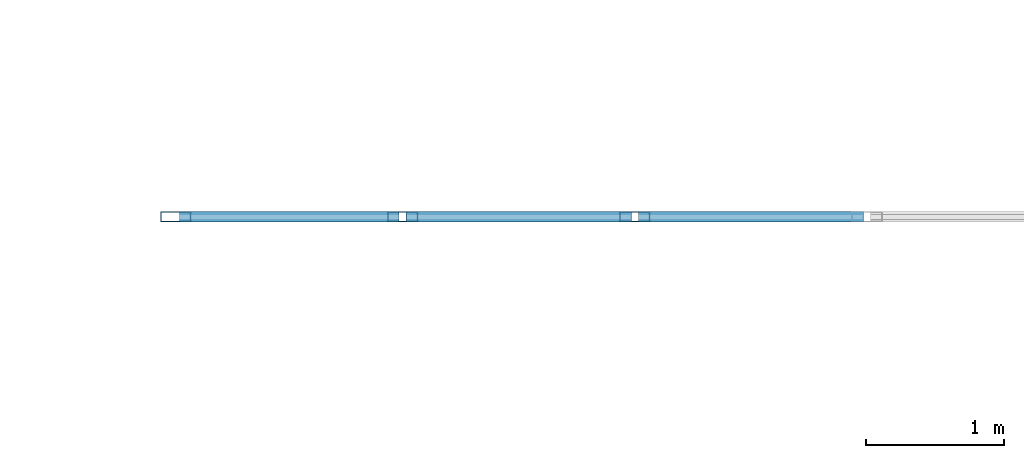
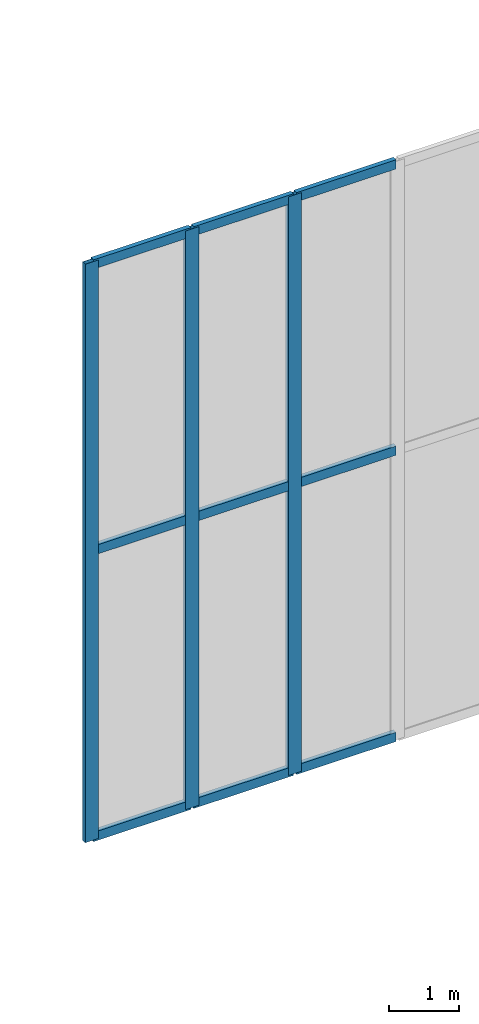
# One storey, part 33 of 153: 12 members, 1 element without a shape of its own.
"""IFC4 building model written with IfcOpenShell, lengths in metres."""

from ifc_helpers import new_model, si_unit, direction, frame, origin, origin_2d, place, context, subcontext, project, spatial, hollow_rectangle, extrude, material, material_profile, profile_set, type_object, element, aggregate, save


model = new_model("IFC4")

# Units and contexts
model_context = context("Model", 3, precision=1e-05, world=origin(), true_north=direction((0.0, 1.0)))
body_context = subcontext(model_context, "Body", "Model", "MODEL_VIEW")
ifc_project = project(units=[si_unit("LENGTHUNIT", "METRE"), si_unit("AREAUNIT", "SQUARE_METRE"), si_unit("VOLUMEUNIT", "CUBIC_METRE"), si_unit("PLANEANGLEUNIT", "RADIAN"), si_unit("MASSUNIT", "GRAM", prefix="KILO")], contexts=[model_context])

# Site, building, storey
site_placement = place(None, origin())
site = spatial("IfcSite", under=ifc_project, at=site_placement, CompositionType="ELEMENT")
building_placement = place(site_placement, origin())
building = spatial("IfcBuilding", under=site, at=building_placement, Name="Qandorah Velis Arena", CompositionType="ELEMENT")
storey_placement = place(building_placement, frame((0.0, 0.0, 5.39990234375)))
storey = spatial("IfcBuildingStorey", under=building, at=storey_placement, Name="L01", CompositionType="ELEMENT", Elevation=5.39990234375)

# Curtain wall, members
ifc_material_1 = material(Name="Solar-control low-E double glazing", Category="glass")
curtain_wall_type = type_object("IfcCurtainWallType", Name="ARC-CW-SYS02", PredefinedType="USERDEFINED", material=ifc_material_1)
curtain_wall_placement = place(storey_placement, origin())
curtain_wall = element("IfcCurtainWall", 1, at=curtain_wall_placement, inside=storey, type_object=curtain_wall_type, Name="Unitised curtain wall FOY-UP-1", ObjectType="UNITISED CURTAIN WALL", PredefinedType="USERDEFINED")
ifc_material_2 = material(Name="Champagne-bronze anodized aluminium 6063-T6", Category="aluminium")
ifc_material_profile_1 = material_profile(ifc_material_2, hollow_rectangle(XDim=0.074951171875, YDim=0.219970703125, WallThickness=0.00390625, at=origin_2d()), Name="ALU MULLION 75x220")
ifc_profile_set_1 = profile_set([ifc_material_profile_1], Name="Champagne-bronze anodized aluminium 6063-T6")
member_type_1 = type_object("IfcMemberType", Name="ARC-CWM-220", PredefinedType="MULLION", material=ifc_profile_set_1)
member_1_placement = place(storey_placement, frame((122.657470703125, 14.39990234375, -1.3349609375), z_axis=(0.0, 0.0, 1.0), x_axis=(0.0, 1.0, 0.0)))
member_1 = element("IfcMember", 2, at=member_1_placement, type_object=member_type_1, Name="CW02 mullion 1", PredefinedType="MULLION", context=body_context, shape_type="SweptSolid", body=[
    extrude(hollow_rectangle(XDim=0.074951171875, YDim=0.219970703125, WallThickness=0.00390625, at=origin_2d()), origin(), (0.0, 0.0, 1.0), 10.023681640625),
])
member_2_placement = place(storey_placement, frame((124.301513671875, 14.39990234375, -1.3349609375), z_axis=(0.0, 0.0, 1.0), x_axis=(0.0, 1.0, 0.0)))
member_2 = element("IfcMember", 3, at=member_2_placement, type_object=member_type_1, Name="CW02 mullion 2", PredefinedType="MULLION", context=body_context, shape_type="SweptSolid", body=[
    extrude(hollow_rectangle(XDim=0.074951171875, YDim=0.219970703125, WallThickness=0.00390625, at=origin_2d()), origin(), (0.0, 0.0, 1.0), 10.023681640625),
])
member_3_placement = place(storey_placement, frame((125.983154296875, 14.39990234375, -1.3349609375), z_axis=(0.0, 0.0, 1.0), x_axis=(0.0, 1.0, 0.0)))
member_3 = element("IfcMember", 4, at=member_3_placement, type_object=member_type_1, Name="CW02 mullion 3", PredefinedType="MULLION", context=body_context, shape_type="SweptSolid", body=[
    extrude(hollow_rectangle(XDim=0.074951171875, YDim=0.219970703125, WallThickness=0.00390625, at=origin_2d()), origin(), (0.0, 0.0, 1.0), 10.023681640625),
])
ifc_material_profile_2 = material_profile(ifc_material_2, hollow_rectangle(XDim=0.074951171875, YDim=0.159912109375, WallThickness=0.00341796875, at=origin_2d()), Name="ALU TRANSOM 75x160")
ifc_profile_set_2 = profile_set([ifc_material_profile_2], Name="Champagne-bronze anodized aluminium 6063-T6")
member_type_2 = type_object("IfcMemberType", Name="ARC-CWT-160", PredefinedType="USERDEFINED", material=ifc_profile_set_2)
member_4_placement = place(storey_placement, frame((122.68310546875, 14.39990234375, -1.282470703125), z_axis=(1.0, 0.0, 0.0), x_axis=(0.0, 1.0, 0.0)))
member_4 = element("IfcMember", 5, at=member_4_placement, type_object=member_type_2, Name="CW02 transom 1.1", ObjectType="TRANSOM", PredefinedType="USERDEFINED", context=body_context, shape_type="SweptSolid", body=[
    extrude(hollow_rectangle(XDim=0.074951171875, YDim=0.159912109375, WallThickness=0.00341796875, at=origin_2d()), origin(), (0.0, 0.0, 1.0), 1.593017578125),
])
member_5_placement = place(storey_placement, frame((122.68310546875, 14.39990234375, 3.677001953125), z_axis=(1.0, 0.0, 0.0), x_axis=(0.0, 1.0, 0.0)))
member_5 = element("IfcMember", 6, at=member_5_placement, type_object=member_type_2, Name="CW02 transom 1.2", ObjectType="TRANSOM", PredefinedType="USERDEFINED", context=body_context, shape_type="SweptSolid", body=[
    extrude(hollow_rectangle(XDim=0.074951171875, YDim=0.159912109375, WallThickness=0.00341796875, at=origin_2d()), origin(), (0.0, 0.0, 1.0), 1.593017578125),
])
member_6_placement = place(storey_placement, frame((122.68310546875, 14.39990234375, 8.63623046875), z_axis=(1.0, 0.0, 0.0), x_axis=(0.0, 1.0, 0.0)))
member_6 = element("IfcMember", 7, at=member_6_placement, type_object=member_type_2, Name="CW02 transom 1.3", ObjectType="TRANSOM", PredefinedType="USERDEFINED", context=body_context, shape_type="SweptSolid", body=[
    extrude(hollow_rectangle(XDim=0.074951171875, YDim=0.159912109375, WallThickness=0.00341796875, at=origin_2d()), origin(), (0.0, 0.0, 1.0), 1.593017578125),
])
member_7_placement = place(storey_placement, frame((124.3271484375, 14.39990234375, -1.282470703125), z_axis=(1.0, 0.0, 0.0), x_axis=(0.0, 1.0, 0.0)))
member_7 = element("IfcMember", 8, at=member_7_placement, type_object=member_type_2, Name="CW02 transom 2.1", ObjectType="TRANSOM", PredefinedType="USERDEFINED", context=body_context, shape_type="SweptSolid", body=[
    extrude(hollow_rectangle(XDim=0.074951171875, YDim=0.159912109375, WallThickness=0.00341796875, at=origin_2d()), origin(), (0.0, 0.0, 1.0), 1.630615234375),
])
member_8_placement = place(storey_placement, frame((124.3271484375, 14.39990234375, 3.677001953125), z_axis=(1.0, 0.0, 0.0), x_axis=(0.0, 1.0, 0.0)))
member_8 = element("IfcMember", 9, at=member_8_placement, type_object=member_type_2, Name="CW02 transom 2.2", ObjectType="TRANSOM", PredefinedType="USERDEFINED", context=body_context, shape_type="SweptSolid", body=[
    extrude(hollow_rectangle(XDim=0.074951171875, YDim=0.159912109375, WallThickness=0.00341796875, at=origin_2d()), origin(), (0.0, 0.0, 1.0), 1.630615234375),
])
member_9_placement = place(storey_placement, frame((124.3271484375, 14.39990234375, 8.63623046875), z_axis=(1.0, 0.0, 0.0), x_axis=(0.0, 1.0, 0.0)))
member_9 = element("IfcMember", 10, at=member_9_placement, type_object=member_type_2, Name="CW02 transom 2.3", ObjectType="TRANSOM", PredefinedType="USERDEFINED", context=body_context, shape_type="SweptSolid", body=[
    extrude(hollow_rectangle(XDim=0.074951171875, YDim=0.159912109375, WallThickness=0.00341796875, at=origin_2d()), origin(), (0.0, 0.0, 1.0), 1.630615234375),
])
member_10_placement = place(storey_placement, frame((126.0087890625, 14.39990234375, -1.282470703125), z_axis=(1.0, 0.0, 0.0), x_axis=(0.0, 1.0, 0.0)))
member_10 = element("IfcMember", 11, at=member_10_placement, type_object=member_type_2, Name="CW02 transom 3.1", ObjectType="TRANSOM", PredefinedType="USERDEFINED", context=body_context, shape_type="SweptSolid", body=[
    extrude(hollow_rectangle(XDim=0.074951171875, YDim=0.159912109375, WallThickness=0.00341796875, at=origin_2d()), origin(), (0.0, 0.0, 1.0), 1.630615234375),
])
member_11_placement = place(storey_placement, frame((126.0087890625, 14.39990234375, 3.677001953125), z_axis=(1.0, 0.0, 0.0), x_axis=(0.0, 1.0, 0.0)))
member_11 = element("IfcMember", 12, at=member_11_placement, type_object=member_type_2, Name="CW02 transom 3.2", ObjectType="TRANSOM", PredefinedType="USERDEFINED", context=body_context, shape_type="SweptSolid", body=[
    extrude(hollow_rectangle(XDim=0.074951171875, YDim=0.159912109375, WallThickness=0.00341796875, at=origin_2d()), origin(), (0.0, 0.0, 1.0), 1.630615234375),
])
member_12_placement = place(storey_placement, frame((126.0087890625, 14.39990234375, 8.63623046875), z_axis=(1.0, 0.0, 0.0), x_axis=(0.0, 1.0, 0.0)))
member_12 = element("IfcMember", 13, at=member_12_placement, type_object=member_type_2, Name="CW02 transom 3.3", ObjectType="TRANSOM", PredefinedType="USERDEFINED", context=body_context, shape_type="SweptSolid", body=[
    extrude(hollow_rectangle(XDim=0.074951171875, YDim=0.159912109375, WallThickness=0.00341796875, at=origin_2d()), origin(), (0.0, 0.0, 1.0), 1.630615234375),
])
aggregate(curtain_wall, [member_1, member_2, member_3, member_4, member_5, member_6, member_7, member_8, member_9, member_10, member_11, member_12])

save(model, "model.ifc")
